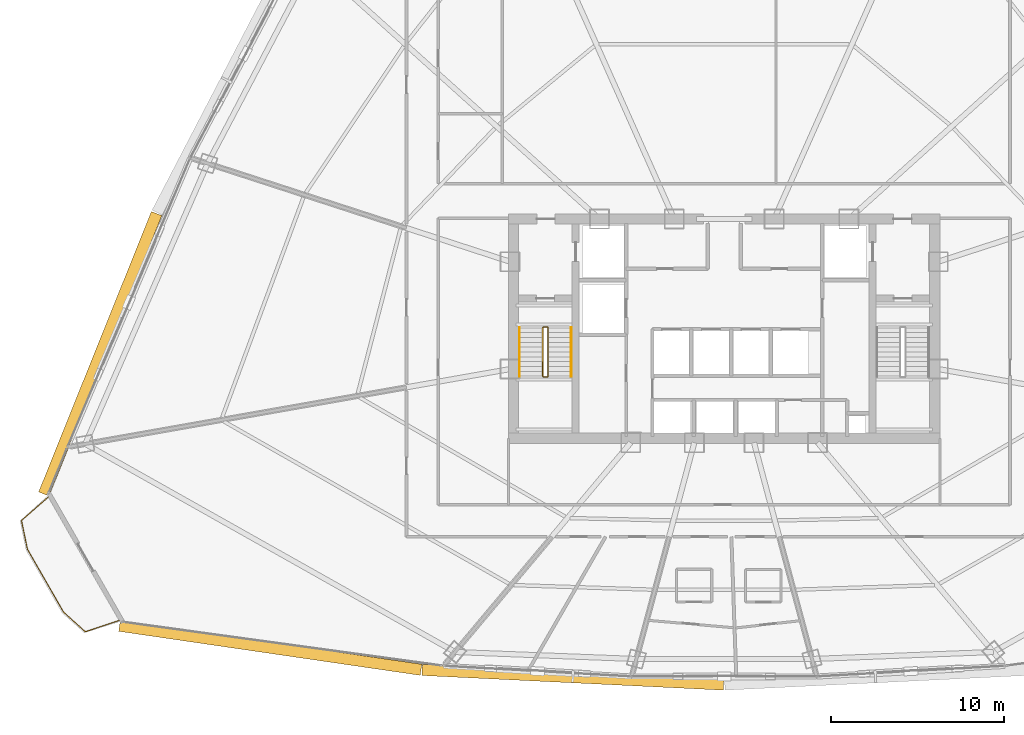
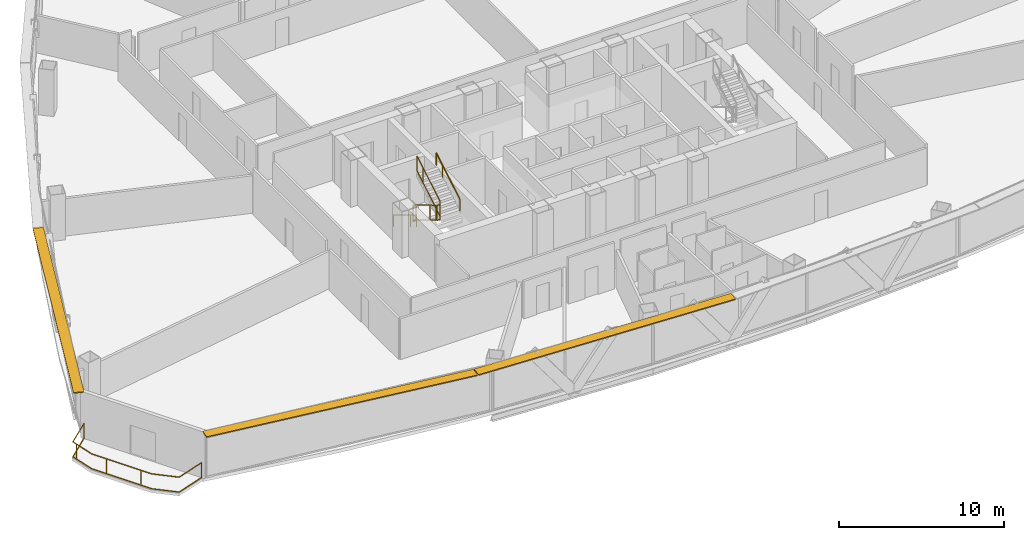
# One storey, part 36 of 39: 7 railings, 3 shading devices.
"""IFC4 building model written with IfcOpenShell, lengths in metres."""

from ifc_helpers import new_model, si_unit, direction, frame, origin, origin_2d, place, context, subcontext, project, spatial, rectangle, extrude, source, transform, mapped, material, layer, layer_set, type_object, element, save


model = new_model("IFC4")

# Units and contexts
model_context = context("Model", 3, precision=1e-05, world=origin(), true_north=direction((0.0, 1.0)))
body_context = subcontext(model_context, "Body", "Model", "MODEL_VIEW")
ifc_project = project(units=[si_unit("LENGTHUNIT", "METRE"), si_unit("AREAUNIT", "SQUARE_METRE"), si_unit("VOLUMEUNIT", "CUBIC_METRE"), si_unit("PLANEANGLEUNIT", "RADIAN"), si_unit("MASSUNIT", "GRAM", prefix="KILO"), si_unit("THERMODYNAMICTEMPERATUREUNIT", "KELVIN"), si_unit("POWERUNIT", "WATT")], contexts=[model_context])

# Site, building, storey
site_placement = place(None, origin())
site = spatial("IfcSite", under=ifc_project, at=site_placement, CompositionType="ELEMENT")
building_placement = place(site_placement, origin())
building = spatial("IfcBuilding", under=site, at=building_placement, Name="Yunzhuo Pagoda Commons", CompositionType="ELEMENT")
storey_placement = place(building_placement, frame((0.0, 0.0, 166.6298828125)))
storey = spatial("IfcBuildingStorey", under=building, at=storey_placement, Name="L42", CompositionType="ELEMENT", Elevation=166.6298828125)

# Railings
ifc_material = material(Name="Anodized aluminium 6063-T6", Category="aluminium")
railing_type_1 = type_object("IfcRailingType", Name="GR-ST1 Stair Well Guardrail 1150", PredefinedType="GUARDRAIL", material=ifc_material)
railing_1_placement = place(storey_placement, frame((37.5, 33.89990234375, 0.16748046875)))
element("IfcRailing", 1, at=railing_1_placement, inside=storey, type_object=railing_type_1, Name="L42 ST1 stair guard 1", PredefinedType="GUARDRAIL", context=body_context, shape_type="SweptSolid", body=[
    extrude(rectangle(XDim=0.048095703125, YDim=0.048095703125, at=origin_2d()), frame((0.0, 0.0, 1.1259765625), z_axis=(0.0, -0.858475523978, 0.512854535645), x_axis=(1.0, 0.0, 0.0)), (0.0, 0.0, 1.0), 3.261474609375),
    extrude(rectangle(XDim=0.048095703125, YDim=0.048095703125, at=origin_2d()), frame((0.0, 0.0, 0.02392578125), z_axis=(0.0, -0.858475523978, 0.512854535645), x_axis=(1.0, 0.0, 0.0)), (0.0, 0.0, 1.0), 3.261474609375),
    extrude(rectangle(XDim=0.0419921875, YDim=0.0419921875, at=origin_2d()), origin(), (0.0, 0.0, 1.0), 1.101806640625),
    extrude(rectangle(XDim=0.0419921875, YDim=0.0419921875, at=origin_2d()), frame((0.0, -2.060302734375, 1.23095703125)), (0.0, 0.0, 1.0), 1.101806640625),
    extrude(rectangle(XDim=0.0419921875, YDim=0.0419921875, at=origin_2d()), frame((0.0, -2.7998046875, 1.672607421875)), (0.0, 0.0, 1.0), 1.101806640625),
])
railing_2_placement = place(storey_placement, frame((37.550048828125, 31.050048828125, 1.840087890625)))
element("IfcRailing", 2, at=railing_2_placement, inside=storey, type_object=railing_type_1, Name="L42 ST1 stair guard 2", PredefinedType="GUARDRAIL", context=body_context, shape_type="SweptSolid", body=[
    extrude(rectangle(XDim=0.048095703125, YDim=0.048095703125, at=origin_2d()), frame((0.0, 0.0, 1.1259765625), z_axis=(1.0, 0.0, 0.0), x_axis=(0.0, 1.0, 0.0)), (0.0, 0.0, 1.0), 0.199951171875),
    extrude(rectangle(XDim=0.048095703125, YDim=0.048095703125, at=origin_2d()), frame((0.0, 0.0, 0.02392578125), z_axis=(1.0, 0.0, 0.0), x_axis=(0.0, 1.0, 0.0)), (0.0, 0.0, 1.0), 0.199951171875),
    extrude(rectangle(XDim=0.0419921875, YDim=0.0419921875, at=origin_2d()), origin(), (0.0, 0.0, 1.0), 1.101806640625),
    extrude(rectangle(XDim=0.0419921875, YDim=0.0419921875, at=origin_2d()), frame((0.199951171875, 0.0, 0.0)), (0.0, 0.0, 1.0), 1.101806640625),
])
railing_3_placement = place(storey_placement, frame((37.800048828125, 31.10009765625, 2.00732421875)))
element("IfcRailing", 3, at=railing_3_placement, inside=storey, type_object=railing_type_1, Name="L42 ST1 stair guard 3", PredefinedType="GUARDRAIL", context=body_context, shape_type="SweptSolid", body=[
    extrude(rectangle(XDim=0.048095703125, YDim=0.048095703125, at=origin_2d()), frame((0.0, 0.0, 1.1259765625), z_axis=(0.0, 0.858442565357, 0.512909701589), x_axis=(-1.0, 0.0, 0.0)), (0.0, 0.0, 1.0), 3.261474609375),
    extrude(rectangle(XDim=0.048095703125, YDim=0.048095703125, at=origin_2d()), frame((0.0, 0.0, 0.02392578125), z_axis=(0.0, 0.858442565357, 0.512909701589), x_axis=(-1.0, 0.0, 0.0)), (0.0, 0.0, 1.0), 3.261474609375),
    extrude(rectangle(XDim=0.0419921875, YDim=0.0419921875, at=origin_2d()), origin(), (0.0, 0.0, 1.0), 1.101806640625),
    extrude(rectangle(XDim=0.0419921875, YDim=0.0419921875, at=origin_2d()), frame((0.0, 2.060302734375, 1.23095703125)), (0.0, 0.0, 1.0), 1.101806640625),
    extrude(rectangle(XDim=0.0419921875, YDim=0.0419921875, at=origin_2d()), frame((0.0, 2.7998046875, 1.6728515625)), (0.0, 0.0, 1.0), 1.101806640625),
])
railing_4_placement = place(storey_placement, frame((37.550048828125, 33.949951171875, 0.0)))
element("IfcRailing", 4, at=railing_4_placement, inside=storey, type_object=railing_type_1, Name="L42 ST1 stair guard 4", PredefinedType="GUARDRAIL", context=body_context, shape_type="SweptSolid", body=[
    extrude(rectangle(XDim=0.048095703125, YDim=0.048095703125, at=origin_2d()), frame((0.0, 0.0, 1.1259765625), z_axis=(1.0, 0.0, 0.0), x_axis=(0.0, 1.0, 0.0)), (0.0, 0.0, 1.0), 0.199951171875),
    extrude(rectangle(XDim=0.048095703125, YDim=0.048095703125, at=origin_2d()), frame((0.0, 0.0, 0.02392578125), z_axis=(1.0, 0.0, 0.0), x_axis=(0.0, 1.0, 0.0)), (0.0, 0.0, 1.0), 0.199951171875),
    extrude(rectangle(XDim=0.0419921875, YDim=0.0419921875, at=origin_2d()), origin(), (0.0, 0.0, 1.0), 1.101806640625),
    extrude(rectangle(XDim=0.0419921875, YDim=0.0419921875, at=origin_2d()), frame((0.199951171875, 0.0, 0.0)), (0.0, 0.0, 1.0), 1.101806640625),
])
railing_type_2 = type_object("IfcRailingType", Name="HR-ST1 Stair Handrail 900", PredefinedType="HANDRAIL", material=ifc_material)
railing_5_placement = place(storey_placement, frame((36.14990234375, 33.89990234375, 0.16748046875)))
element("IfcRailing", 5, at=railing_5_placement, inside=storey, type_object=railing_type_2, Name="L42 ST1 stair handrail 1", PredefinedType="HANDRAIL", context=body_context, shape_type="SweptSolid", body=[
    extrude(rectangle(XDim=0.048095703125, YDim=0.048095703125, at=origin_2d()), frame((0.0, 0.0, 0.8759765625), z_axis=(0.0, -0.858475523978, 0.512854535645), x_axis=(1.0, 0.0, 0.0)), (0.0, 0.0, 1.0), 3.261474609375),
    extrude(rectangle(XDim=0.0419921875, YDim=0.0419921875, at=origin_2d()), origin(), (0.0, 0.0, 1.0), 0.851806640625),
    extrude(rectangle(XDim=0.0419921875, YDim=0.0419921875, at=origin_2d()), frame((0.0, -2.060302734375, 1.23095703125)), (0.0, 0.0, 1.0), 0.851806640625),
    extrude(rectangle(XDim=0.0419921875, YDim=0.0419921875, at=origin_2d()), frame((0.0, -2.7998046875, 1.672607421875)), (0.0, 0.0, 1.0), 0.851806640625),
])
railing_6_placement = place(storey_placement, frame((39.14990234375, 31.10009765625, 2.00732421875)))
element("IfcRailing", 6, at=railing_6_placement, inside=storey, type_object=railing_type_2, Name="L42 ST1 stair handrail 2", PredefinedType="HANDRAIL", context=body_context, shape_type="SweptSolid", body=[
    extrude(rectangle(XDim=0.048095703125, YDim=0.048095703125, at=origin_2d()), frame((0.0, 0.0, 0.8759765625), z_axis=(0.0, 0.858442565357, 0.512909701589), x_axis=(-1.0, 0.0, 0.0)), (0.0, 0.0, 1.0), 3.261474609375),
    extrude(rectangle(XDim=0.0419921875, YDim=0.0419921875, at=origin_2d()), origin(), (0.0, 0.0, 1.0), 0.851806640625),
    extrude(rectangle(XDim=0.0419921875, YDim=0.0419921875, at=origin_2d()), frame((0.0, 2.060302734375, 1.23095703125)), (0.0, 0.0, 1.0), 0.851806640625),
    extrude(rectangle(XDim=0.0419921875, YDim=0.0419921875, at=origin_2d()), frame((0.0, 2.7998046875, 1.6728515625)), (0.0, 0.0, 1.0), 0.851806640625),
])
railing_type_3 = type_object("IfcRailingType", Name="RL-BAL1 Exterior Terrace & Balcony Balustrade 1150", PredefinedType="BALUSTRADE", material=ifc_material)
railing_7_placement = place(storey_placement, frame((8.85791015625, 24.09765625, 0.0)))
element("IfcRailing", 7, at=railing_7_placement, inside=storey, type_object=railing_type_3, Name="L42 corner balcony balustrade V1", PredefinedType="BALUSTRADE", context=body_context, shape_type="SweptSolid", body=[
    extrude(rectangle(XDim=0.048095703125, YDim=0.048095703125, at=origin_2d()), frame((0.0, 0.0, 1.1259765625), z_axis=(-0.753992555518, -0.656882962348, 0.0), x_axis=(0.656882962348, -0.753992555518, 0.0)), (0.0, 0.0, 1.0), 2.05908203125),
    extrude(rectangle(XDim=0.048095703125, YDim=0.048095703125, at=origin_2d()), frame((0.0, 0.0, 0.02392578125), z_axis=(-0.753992555518, -0.656882962348, 0.0), x_axis=(0.656882962348, -0.753992555518, 0.0)), (0.0, 0.0, 1.0), 2.05908203125),
    extrude(rectangle(XDim=0.048095703125, YDim=0.048095703125, at=origin_2d()), frame((-1.552490234375, -1.3525390625, 1.1259765625), z_axis=(0.203359032511, -0.97910423546, 0.0), x_axis=(0.97910423546, 0.203359032511, 0.0)), (0.0, 0.0, 1.0), 1.70361328125),
    extrude(rectangle(XDim=0.048095703125, YDim=0.048095703125, at=origin_2d()), frame((-1.552490234375, -1.3525390625, 0.02392578125), z_axis=(0.203359032511, -0.97910423546, 0.0), x_axis=(0.97910423546, 0.203359032511, 0.0)), (0.0, 0.0, 1.0), 1.70361328125),
    extrude(rectangle(XDim=0.048095703125, YDim=0.048095703125, at=origin_2d()), frame((-1.2060546875, -3.0205078125, 1.1259765625), z_axis=(0.497929078037, -0.867217754226, 0.0), x_axis=(0.867217754226, 0.497929078037, 0.0)), (0.0, 0.0, 1.0), 4.197998046875),
    extrude(rectangle(XDim=0.048095703125, YDim=0.048095703125, at=origin_2d()), frame((-1.2060546875, -3.0205078125, 0.02392578125), z_axis=(0.497929078037, -0.867217754226, 0.0), x_axis=(0.867217754226, 0.497929078037, 0.0)), (0.0, 0.0, 1.0), 4.197998046875),
    extrude(rectangle(XDim=0.048095703125, YDim=0.048095703125, at=origin_2d()), frame((0.88427734375, -6.6611328125, 1.1259765625), z_axis=(0.743044693611, -0.669241797332, 0.0), x_axis=(0.669241797332, 0.743044693611, 0.0)), (0.0, 0.0, 1.0), 1.70361328125),
    extrude(rectangle(XDim=0.048095703125, YDim=0.048095703125, at=origin_2d()), frame((0.88427734375, -6.6611328125, 0.02392578125), z_axis=(0.743044693611, -0.669241797332, 0.0), x_axis=(0.669241797332, 0.743044693611, 0.0)), (0.0, 0.0, 1.0), 1.70361328125),
    extrude(rectangle(XDim=0.048095703125, YDim=0.048095703125, at=origin_2d()), frame((2.150146484375, -7.80126953125, 1.1259765625), z_axis=(0.947419062147, 0.319995501031, 0.0), x_axis=(-0.319995501031, 0.947419062147, 0.0)), (0.0, 0.0, 1.0), 2.05908203125),
    extrude(rectangle(XDim=0.048095703125, YDim=0.048095703125, at=origin_2d()), frame((2.150146484375, -7.80126953125, 0.02392578125), z_axis=(0.947419062147, 0.319995501031, 0.0), x_axis=(-0.319995501031, 0.947419062147, 0.0)), (0.0, 0.0, 1.0), 2.05908203125),
    extrude(rectangle(XDim=0.0419921875, YDim=0.0419921875, at=origin_2d()), origin(), (0.0, 0.0, 1.0), 1.101806640625),
    extrude(rectangle(XDim=0.0419921875, YDim=0.0419921875, at=origin_2d()), frame((-1.483154296875, -1.686279296875, 0.0)), (0.0, 0.0, 1.0), 1.101806640625),
    extrude(rectangle(XDim=0.0419921875, YDim=0.0419921875, at=origin_2d()), frame((-0.689453125, -3.920166015625, 0.0)), (0.0, 0.0, 1.0), 1.101806640625),
    extrude(rectangle(XDim=0.0419921875, YDim=0.0419921875, at=origin_2d()), frame((0.505615234375, -6.00146484375, 0.0)), (0.0, 0.0, 1.0), 1.101806640625),
    extrude(rectangle(XDim=0.0419921875, YDim=0.0419921875, at=origin_2d()), frame((4.10107421875, -7.142333984375, 0.0)), (0.0, 0.0, 1.0), 1.101806640625),
])

# Shading devices
ifc_layer = layer(ifc_material, 0.080078125)
ifc_layer_set = layer_set([ifc_layer], Name="Anodized aluminium 6063-T6")
shading_device_type = type_object("IfcShadingDeviceType", Name="SH-SUN1 Pagoda Horizontal Sunshade Eave 650", PredefinedType="USERDEFINED", material=ifc_layer_set)
shared_shape_1 = source(origin(), body_context, "Body", "SweptSolid", [
    extrude(rectangle(XDim=17.64599609375, YDim=0.64990234375, at=origin_2d()), origin(), (0.0, 0.0, 1.0), 0.080078125),
])
shading_device_1_placement = place(storey_placement, frame((21.71435546875, 15.37109375, 3.340087890625), z_axis=(0.0, 0.0, 1.0), x_axis=(0.989510666697, -0.144459823108, 0.0)))
element("IfcShadingDevice", 8, at=shading_device_1_placement, inside=storey, type_object=shading_device_type, Name="L42 horizontal pagoda sunshade eave F1.1", ObjectType="SUNSHADE", PredefinedType="USERDEFINED", context=body_context, shape_type="MappedRepresentation", body=[
    mapped(shared_shape_1, transform((0.0, 0.0, 0.0), scale=1.0)),
])
shared_shape_2 = source(origin(), body_context, "Body", "SweptSolid", [
    extrude(rectangle(XDim=17.481201171875, YDim=0.64990234375, at=origin_2d()), origin(), (0.0, 0.0, 1.0), 0.080078125),
])
shading_device_2_placement = place(storey_placement, frame((39.238037109375, 13.665771484375, 3.340087890625), z_axis=(0.0, 0.0, 1.0), x_axis=(0.998818043775, -0.04860571396, 0.0)))
element("IfcShadingDevice", 9, at=shading_device_2_placement, inside=storey, type_object=shading_device_type, Name="L42 horizontal pagoda sunshade eave F1.2", ObjectType="SUNSHADE", PredefinedType="USERDEFINED", context=body_context, shape_type="MappedRepresentation", body=[
    mapped(shared_shape_2, transform((0.0, 0.0, 0.0), scale=1.0)),
])
shared_shape_3 = source(origin(), body_context, "Body", "SweptSolid", [
    extrude(rectangle(XDim=17.50439453125, YDim=0.64990234375, at=origin_2d()), origin(), (0.0, 0.0, 1.0), 0.080078125),
])
shading_device_3_placement = place(storey_placement, frame((11.867431640625, 32.395751953125, 3.340087890625), z_axis=(0.0, 0.0, 1.0), x_axis=(-0.372987782576, -0.927836253899, 0.0)))
element("IfcShadingDevice", 10, at=shading_device_3_placement, inside=storey, type_object=shading_device_type, Name="L42 horizontal pagoda sunshade eave F3.4", ObjectType="SUNSHADE", PredefinedType="USERDEFINED", context=body_context, shape_type="MappedRepresentation", body=[
    mapped(shared_shape_3, transform((0.0, 0.0, 0.0), scale=1.0)),
])

save(model, "model.ifc")
